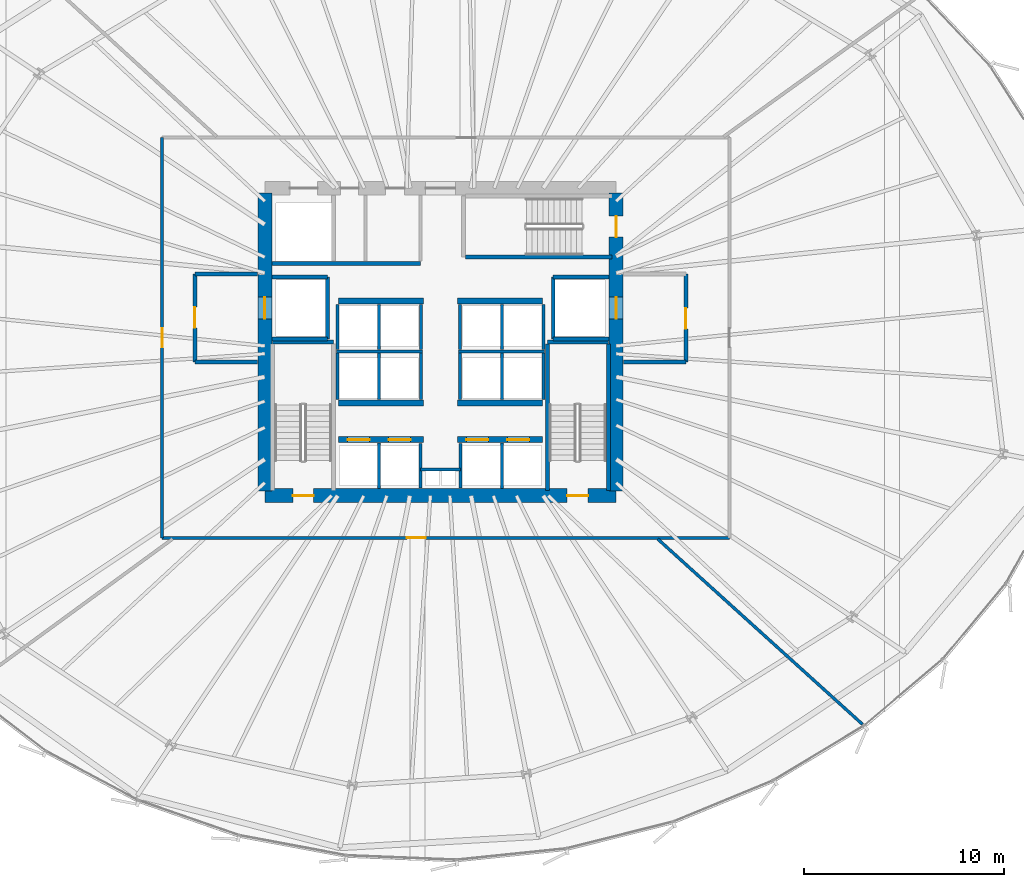
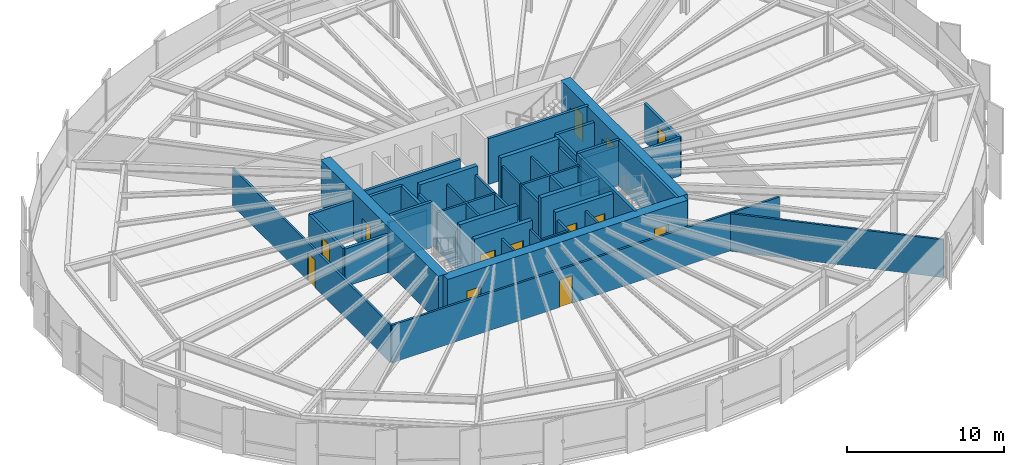
# One storey, part 34 of 42: 48 walls, 13 doors, 13 openings.
"""IFC4 building model written with IfcOpenShell, lengths in metres."""

from ifc_helpers import new_model, si_unit, direction, frame, frame_2d, origin, place, context, subcontext, project, spatial, rectangle, extrude, source, transform, mapped, material, layer, layer_set, type_object, element, fill, save


model = new_model("IFC4")

# Units and contexts
model_context = context("Model", 3, precision=1e-05, world=origin(), true_north=direction((0.0, 1.0)))
body_context = subcontext(model_context, "Body", "Model", "MODEL_VIEW")
ifc_project = project(units=[si_unit("LENGTHUNIT", "METRE"), si_unit("AREAUNIT", "SQUARE_METRE"), si_unit("VOLUMEUNIT", "CUBIC_METRE"), si_unit("PLANEANGLEUNIT", "RADIAN"), si_unit("MASSUNIT", "GRAM", prefix="KILO"), si_unit("THERMODYNAMICTEMPERATUREUNIT", "KELVIN")], contexts=[model_context])

# Site, building, storey
site_placement = place(None, origin())
site = spatial("IfcSite", under=ifc_project, at=site_placement, CompositionType="ELEMENT")
building_placement = place(site_placement, origin())
building = spatial("IfcBuilding", under=site, at=building_placement, Name="Kethvar Cultural Tower", CompositionType="ELEMENT")
storey_placement = place(building_placement, frame((0.0, 0.0, 37.199951171875)))
storey = spatial("IfcBuildingStorey", under=building, at=storey_placement, Name="L08", CompositionType="ELEMENT", Elevation=37.199951171875)

# Wall, openings, doors
ifc_material_1 = material(Name="Concrete C60/75", Category="concrete")
ifc_layer_1 = layer(ifc_material_1, 0.699951171875, Name="Concrete C60/75", Category="concrete")
ifc_layer_set_1 = layer_set([ifc_layer_1], Name="Concrete C60/75 (700 mm)")
wall_type_1 = type_object("IfcWallType", Name="WL-CORE-700", PredefinedType="SHEAR", material=ifc_layer_set_1)
wall_1_placement = place(storey_placement, frame((38.0, 20.10009765625, 0.0), z_axis=(0.0, 0.0, 1.0), x_axis=(1.0, 0.0, 0.0)))
wall_1 = element("IfcWall", 1, at=wall_1_placement, inside=storey, type_object=wall_type_1, Name="L08 Core Shear Wall S", PredefinedType="SHEAR", context=body_context, shape_type="SweptSolid", body=[
    extrude(rectangle(XDim=17.60009765625, YDim=0.699951171875, at=frame_2d((8.800048828125, 0.0))), origin(), (0.0, 0.0, 1.0), 3.550048828125),
])
opening_1_placement = place(wall_1_placement, frame((1.39990234375, 0.0, 0.0)))
opening_1 = element("IfcOpeningElement", 2, at=opening_1_placement, cuts=wall_1, Name="Opening D-L08-S1", PredefinedType="OPENING", context=body_context, shape_type="SweptSolid", body=[
    extrude(rectangle(XDim=1.050048828125, YDim=2.14990234375, at=frame_2d((0.52490234375, 1.074951171875))), frame((0.0, 0.35986328125, 0.0), z_axis=(0.0, -1.0, 0.0), x_axis=(1.0, 0.0, 0.0)), (0.0, 0.0, 1.0), 0.719970703125),
])
opening_2_placement = place(wall_1_placement, frame((15.14990234375, 0.0, 0.0)))
opening_2 = element("IfcOpeningElement", 3, at=opening_2_placement, cuts=wall_1, Name="Opening D-L08-ST2", PredefinedType="OPENING", context=body_context, shape_type="SweptSolid", body=[
    extrude(rectangle(XDim=1.050048828125, YDim=2.14990234375, at=frame_2d((0.52490234375, 1.074951171875))), frame((0.0, 0.35986328125, 0.0), z_axis=(0.0, -1.0, 0.0), x_axis=(1.0, 0.0, 0.0)), (0.0, 0.0, 1.0), 0.719970703125),
])
ifc_material_2 = material(Name="Steel S355J2", Category="steel")
door_type_1 = type_object("IfcDoorType", Name="DR-FD60-1050", OperationType="NOTDEFINED", PredefinedType="DOOR", material=ifc_material_2)
shared_shape_1 = source(origin(), body_context, "Body", "SweptSolid", [
    extrude(rectangle(XDim=1.050048828125, YDim=2.14990234375, at=frame_2d((0.52490234375, 1.074951171875))), frame((0.0, 0.02490234375, 0.0), z_axis=(0.0, -1.0, 0.0), x_axis=(1.0, 0.0, 0.0)), (0.0, 0.0, 1.0), 0.050048828125),
])
door_1_placement = place(opening_1_placement, origin())
door_1 = element("IfcDoor", 4, at=door_1_placement, inside=storey, type_object=door_type_1, Name="L08 Exit Stair 1 Door", OperationType="SINGLE_SWING_LEFT", OverallHeight=2.14990234375, OverallWidth=1.050048828125, PredefinedType="DOOR", context=body_context, shape_type="MappedRepresentation", body=[
    mapped(shared_shape_1, transform((0.0, 0.0, 0.0), scale=1.0)),
])
fill(opening_1, door_1)
door_2_placement = place(opening_2_placement, origin())
door_2 = element("IfcDoor", 5, at=door_2_placement, inside=storey, type_object=door_type_1, Name="L08 Exit Stair 2 Door", OperationType="SINGLE_SWING_RIGHT", OverallHeight=2.14990234375, OverallWidth=1.050048828125, PredefinedType="DOOR", context=body_context, shape_type="MappedRepresentation", body=[
    mapped(shared_shape_1, transform((0.0, 0.0, 0.0), scale=1.0)),
])
fill(opening_2, door_2)

# Wall, opening, door
wall_2_placement = place(storey_placement, frame((38.0, 35.260009765625, 0.0), z_axis=(0.0, 0.0, 1.0), x_axis=(0.0, -1.0, 0.0)))
wall_2 = element("IfcWall", 6, at=wall_2_placement, inside=storey, type_object=wall_type_1, Name="L08 Core Shear Wall W", PredefinedType="SHEAR", context=body_context, shape_type="SweptSolid", body=[
    extrude(rectangle(XDim=14.919921875, YDim=0.699951171875, at=frame_2d((7.4599609375, 0.0))), origin(), (0.0, 0.0, 1.0), 3.550048828125),
])
opening_3_placement = place(wall_2_placement, frame((5.2099609375, 0.0, 0.0)))
opening_3 = element("IfcOpeningElement", 7, at=opening_3_placement, cuts=wall_2, Name="Opening LD-1", PredefinedType="OPENING", context=body_context, shape_type="SweptSolid", body=[
    extrude(rectangle(XDim=1.10009765625, YDim=2.199951171875, at=frame_2d((0.550048828125, 1.10009765625))), frame((0.0, 0.35986328125, 0.0), z_axis=(0.0, -1.0, 0.0), x_axis=(1.0, 0.0, 0.0)), (0.0, 0.0, 1.0), 0.719970703125),
])
door_type_2 = type_object("IfcDoorType", Name="DR-LIFT-SLIDE-1100", OperationType="NOTDEFINED", PredefinedType="DOOR", material=ifc_material_2)
shared_shape_2 = source(origin(), body_context, "Body", "SweptSolid", [
    extrude(rectangle(XDim=1.10009765625, YDim=2.199951171875, at=frame_2d((0.550048828125, 1.10009765625))), frame((0.0, 0.02490234375, 0.0), z_axis=(0.0, -1.0, 0.0), x_axis=(1.0, 0.0, 0.0)), (0.0, 0.0, 1.0), 0.050048828125),
])
door_3_placement = place(opening_3_placement, origin())
door_3 = element("IfcDoor", 8, at=door_3_placement, inside=storey, type_object=door_type_2, Name="L08 Firefighting Lift Landing Door FFL-01", OperationType="SLIDING_TO_LEFT", OverallHeight=2.199951171875, OverallWidth=1.10009765625, PredefinedType="DOOR", context=body_context, shape_type="MappedRepresentation", body=[
    mapped(shared_shape_2, transform((0.0, 0.0, 0.0), scale=1.0)),
])
fill(opening_3, door_3)

# Wall, openings, doors
wall_3_placement = place(storey_placement, frame((55.60009765625, 20.340087890625, 0.0), z_axis=(0.0, 0.0, 1.0), x_axis=(0.0, 1.0, 0.0)))
wall_3 = element("IfcWall", 9, at=wall_3_placement, inside=storey, type_object=wall_type_1, Name="L08 Core Shear Wall E", PredefinedType="SHEAR", context=body_context, shape_type="SweptSolid", body=[
    extrude(rectangle(XDim=14.919921875, YDim=0.699951171875, at=frame_2d((7.4599609375, 0.0))), origin(), (0.0, 0.0, 1.0), 3.550048828125),
])
opening_4_placement = place(wall_3_placement, frame((12.7099609375, 0.0, 0.0)))
opening_4 = element("IfcOpeningElement", 10, at=opening_4_placement, cuts=wall_3, Name="Opening D-L08-S3", PredefinedType="OPENING", context=body_context, shape_type="SweptSolid", body=[
    extrude(rectangle(XDim=1.050048828125, YDim=2.14990234375, at=frame_2d((0.52490234375, 1.074951171875))), frame((0.0, 0.35986328125, 0.0), z_axis=(0.0, -1.0, 0.0), x_axis=(1.0, 0.0, 0.0)), (0.0, 0.0, 1.0), 0.719970703125),
])
opening_5_placement = place(wall_3_placement, frame((8.610107421875, 0.0, 0.0)))
opening_5 = element("IfcOpeningElement", 11, at=opening_5_placement, cuts=wall_3, Name="Opening LD-2", PredefinedType="OPENING", context=body_context, shape_type="SweptSolid", body=[
    extrude(rectangle(XDim=1.10009765625, YDim=2.199951171875, at=frame_2d((0.550048828125, 1.10009765625))), frame((0.0, 0.35986328125, 0.0), z_axis=(0.0, -1.0, 0.0), x_axis=(1.0, 0.0, 0.0)), (0.0, 0.0, 1.0), 0.719970703125),
])
door_4_placement = place(opening_4_placement, origin())
door_4 = element("IfcDoor", 12, at=door_4_placement, inside=storey, type_object=door_type_1, Name="L08 Exit Stair 3 Door", OperationType="SINGLE_SWING_LEFT", OverallHeight=2.14990234375, OverallWidth=1.050048828125, PredefinedType="DOOR", context=body_context, shape_type="MappedRepresentation", body=[
    mapped(shared_shape_1, transform((0.0, 0.0, 0.0), scale=1.0)),
])
fill(opening_4, door_4)
door_5_placement = place(opening_5_placement, origin())
door_5 = element("IfcDoor", 13, at=door_5_placement, inside=storey, type_object=door_type_2, Name="L08 Firefighting Lift Landing Door FFL-02", OperationType="SLIDING_TO_RIGHT", OverallHeight=2.199951171875, OverallWidth=1.10009765625, PredefinedType="DOOR", context=body_context, shape_type="MappedRepresentation", body=[
    mapped(shared_shape_2, transform((0.0, 0.0, 0.0), scale=1.0)),
])
fill(opening_5, door_5)

# Walls
ifc_material_3 = material(Name="Gypsum Fireboard Partition")
ifc_layer_2 = layer(ifc_material_3, 0.14990234375, Name="Gypsum Fireboard Partition")
ifc_layer_set_2 = layer_set([ifc_layer_2], Name="Gypsum Fireboard Partition (150 mm)")
wall_type_2 = type_object("IfcWallType", Name="WL-FIRE-150", PredefinedType="PARTITIONING", material=ifc_layer_set_2)
wall_4_placement = place(storey_placement, frame((45.800048828125, 21.419921875, 0.0), z_axis=(0.0, 0.0, 1.0), x_axis=(1.0, 0.0, 0.0)))
element("IfcWall", 14, at=wall_4_placement, inside=storey, type_object=wall_type_2, Name="L08 Core Riser Wall", PredefinedType="PARTITIONING", context=body_context, shape_type="SweptSolid", body=[
    extrude(rectangle(XDim=2.0, YDim=0.14990234375, at=frame_2d((1.0, 0.0))), origin(), (0.0, 0.0, 1.0), 2.925048828125),
])
for number, where, z_axis, x_axis, name in (
    (15, (45.800048828125, 20.47998046875, 0.0), (0.0, 0.0, 1.0), (0.0, 1.0, 0.0), "L08 Core Riser West Wall"),
    (16, (47.800048828125, 20.47998046875, 0.0), (0.0, 0.0, 1.0), (0.0, 1.0, 0.0), "L08 Core Riser East Wall"),
):
    element("IfcWall", number, at=place(storey_placement, frame(where, z_axis=z_axis, x_axis=x_axis)), inside=storey, type_object=wall_type_2, Name=name, PredefinedType="PARTITIONING", context=body_context, shape_type="SweptSolid", body=[
        extrude(rectangle(XDim=2.239990234375, YDim=0.14990234375, at=frame_2d((1.1201171875, 0.0))), origin(), (0.0, 0.0, 1.0), 2.925048828125),
    ])
for number, where, z_axis, x_axis, name in (
    (17, (43.72509765625, 20.4599609375, 0.0), (0.0, 0.0, 1.0), (0.0, 1.0, 0.0), "L08 Low-Rise Lift Shaft Divider W"),
    (18, (49.875, 20.4599609375, 0.0), (0.0, 0.0, 1.0), (0.0, 1.0, 0.0), "L08 Low-Rise Lift Shaft Divider E"),
):
    element("IfcWall", number, at=place(storey_placement, frame(where, z_axis=z_axis, x_axis=x_axis)), inside=storey, type_object=wall_type_2, Name=name, PredefinedType="PARTITIONING", context=body_context, shape_type="SweptSolid", body=[
        extrude(rectangle(XDim=2.27001953125, YDim=0.14990234375, at=frame_2d((1.135009765625, 0.0))), origin(), (0.0, 0.0, 1.0), 2.925048828125),
    ])
wall_5_placement = place(storey_placement, frame((41.580078125, 27.324951171875, 0.0), z_axis=(0.0, 0.0, 1.0), x_axis=(1.0, 0.0, 0.0)))
element("IfcWall", 19, at=wall_5_placement, inside=storey, type_object=wall_type_2, Name="L08 Mid-High Lift Shaft Back Wall W", PredefinedType="PARTITIONING", context=body_context, shape_type="SweptSolid", body=[
    extrude(rectangle(XDim=4.31982421875, YDim=0.14990234375, at=frame_2d((2.159912109375, 0.0))), origin(), (0.0, 0.0, 1.0), 2.925048828125),
])
wall_6_placement = place(storey_placement, frame((47.699951171875, 27.324951171875, 0.0), z_axis=(0.0, 0.0, 1.0), x_axis=(1.0, 0.0, 0.0)))
element("IfcWall", 20, at=wall_6_placement, inside=storey, type_object=wall_type_2, Name="L08 Mid-High Lift Shaft Back Wall E", PredefinedType="PARTITIONING", context=body_context, shape_type="SweptSolid", body=[
    extrude(rectangle(XDim=4.320068359375, YDim=0.14990234375, at=frame_2d((2.16015625, 0.0))), origin(), (0.0, 0.0, 1.0), 2.925048828125),
])
for number, where, z_axis, x_axis, name in (
    (21, (41.64990234375, 24.919921875, 0.0), (0.0, 0.0, 1.0), (0.0, 1.0, 0.0), "L08 Mid-Rise Lift Shaft Outer Wall W"),
    (22, (43.72509765625, 24.919921875, 0.0), (0.0, 0.0, 1.0), (0.0, 1.0, 0.0), "L08 Mid-Rise Lift Shaft Divider W"),
    (23, (45.824951171875, 24.919921875, 0.0), (0.0, 0.0, 1.0), (0.0, 1.0, 0.0), "L08 Mid-Rise Lift Shaft Concourse Wall W"),
    (24, (47.77490234375, 24.919921875, 0.0), (0.0, 0.0, 1.0), (0.0, 1.0, 0.0), "L08 Mid-Rise Lift Shaft Concourse Wall E"),
    (25, (49.875, 24.919921875, 0.0), (0.0, 0.0, 1.0), (0.0, 1.0, 0.0), "L08 Mid-Rise Lift Shaft Divider E"),
    (26, (51.949951171875, 24.919921875, 0.0), (0.0, 0.0, 1.0), (0.0, 1.0, 0.0), "L08 Mid-Rise Lift Shaft Outer Wall E"),
):
    element("IfcWall", number, at=place(storey_placement, frame(where, z_axis=z_axis, x_axis=x_axis)), inside=storey, type_object=wall_type_2, Name=name, PredefinedType="PARTITIONING", context=body_context, shape_type="SweptSolid", body=[
        extrude(rectangle(XDim=2.320068359375, YDim=0.14990234375, at=frame_2d((1.16015625, 0.0))), origin(), (0.0, 0.0, 1.0), 2.925048828125),
    ])
for number, where, z_axis, x_axis, name in (
    (27, (41.64990234375, 27.409912109375, 0.0), (0.0, 0.0, 1.0), (0.0, 1.0, 0.0), "L08 High-Rise Lift Shaft Outer Wall W"),
    (28, (43.72509765625, 27.409912109375, 0.0), (0.0, 0.0, 1.0), (0.0, 1.0, 0.0), "L08 High-Rise Lift Shaft Divider W"),
    (29, (45.824951171875, 27.409912109375, 0.0), (0.0, 0.0, 1.0), (0.0, 1.0, 0.0), "L08 High-Rise Lift Shaft Concourse Wall W"),
    (30, (47.77490234375, 27.409912109375, 0.0), (0.0, 0.0, 1.0), (0.0, 1.0, 0.0), "L08 High-Rise Lift Shaft Concourse Wall E"),
    (31, (49.875, 27.409912109375, 0.0), (0.0, 0.0, 1.0), (0.0, 1.0, 0.0), "L08 High-Rise Lift Shaft Divider E"),
    (32, (51.949951171875, 27.409912109375, 0.0), (0.0, 0.0, 1.0), (0.0, 1.0, 0.0), "L08 High-Rise Lift Shaft Outer Wall E"),
):
    element("IfcWall", number, at=place(storey_placement, frame(where, z_axis=z_axis, x_axis=x_axis)), inside=storey, type_object=wall_type_2, Name=name, PredefinedType="PARTITIONING", context=body_context, shape_type="SweptSolid", body=[
        extrude(rectangle(XDim=2.27001953125, YDim=0.14990234375, at=frame_2d((1.135009765625, 0.0))), origin(), (0.0, 0.0, 1.0), 2.925048828125),
    ])

# Wall, opening, door
wall_7_placement = place(storey_placement, frame((32.85009765625, 17.97998046875, 0.0), z_axis=(0.0, 0.0, 1.0), x_axis=(1.0, 0.0, 0.0)))
wall_7 = element("IfcWall", 33, at=wall_7_placement, inside=storey, type_object=wall_type_2, Name="L08 Corridor Rated Wall S", PredefinedType="PARTITIONING", context=body_context, shape_type="SweptSolid", body=[
    extrude(rectangle(XDim=28.419921875, YDim=0.14990234375, at=frame_2d((14.2099609375, 0.0))), origin(), (0.0, 0.0, 1.0), 2.925048828125),
])
opening_6_placement = place(wall_7_placement, frame((12.271484375, 0.0, 0.0)))
opening_6 = element("IfcOpeningElement", 34, at=opening_6_placement, cuts=wall_7, Name="Opening D-L08-01", PredefinedType="OPENING", context=body_context, shape_type="SweptSolid", body=[
    extrude(rectangle(XDim=0.949951171875, YDim=2.14990234375, at=frame_2d((0.47509765625, 1.074951171875))), frame((0.0, 0.0849609375, 0.0), z_axis=(0.0, -1.0, 0.0), x_axis=(1.0, 0.0, 0.0)), (0.0, 0.0, 1.0), 0.169921875),
])
ifc_material_4 = material(Name="Architectural Oak Timber", Category="wood")
door_type_3 = type_object("IfcDoorType", Name="DR-FD30-950", OperationType="NOTDEFINED", PredefinedType="DOOR", material=ifc_material_4)
shared_shape_3 = source(origin(), body_context, "Body", "SweptSolid", [
    extrude(rectangle(XDim=0.949951171875, YDim=2.14990234375, at=frame_2d((0.47509765625, 1.074951171875))), frame((0.0, 0.02490234375, 0.0), z_axis=(0.0, -1.0, 0.0), x_axis=(1.0, 0.0, 0.0)), (0.0, 0.0, 1.0), 0.050048828125),
])
door_6_placement = place(opening_6_placement, origin())
door_6 = element("IfcDoor", 35, at=door_6_placement, inside=storey, type_object=door_type_3, Name="L08 Permanent Collection Library 01 Door", OperationType="SINGLE_SWING_LEFT", OverallHeight=2.14990234375, OverallWidth=0.949951171875, PredefinedType="DOOR", context=body_context, shape_type="MappedRepresentation", body=[
    mapped(shared_shape_3, transform((0.0, 0.0, 0.0), scale=1.0)),
])
fill(opening_6, door_6)

wall_8_placement = place(storey_placement, frame((32.85009765625, 38.0400390625, 0.0), z_axis=(0.0, 0.0, 1.0), x_axis=(0.0, -1.0, 0.0)))
wall_8 = element("IfcWall", 36, at=wall_8_placement, inside=storey, type_object=wall_type_2, Name="L08 Corridor Rated Wall W", PredefinedType="PARTITIONING", context=body_context, shape_type="SweptSolid", body=[
    extrude(rectangle(XDim=20.06005859375, YDim=0.14990234375, at=frame_2d((10.030029296875, 0.0))), origin(), (0.0, 0.0, 1.0), 2.925048828125),
])
opening_7_placement = place(wall_8_placement, frame((9.554931640625, 0.0, 0.0)))
opening_7 = element("IfcOpeningElement", 37, at=opening_7_placement, cuts=wall_8, Name="Opening D-L08-04", PredefinedType="OPENING", context=body_context, shape_type="SweptSolid", body=[
    extrude(rectangle(XDim=0.949951171875, YDim=2.14990234375, at=frame_2d((0.47509765625, 1.074951171875))), frame((0.0, 0.0849609375, 0.0), z_axis=(0.0, -1.0, 0.0), x_axis=(1.0, 0.0, 0.0)), (0.0, 0.0, 1.0), 0.169921875),
])
door_7_placement = place(opening_7_placement, origin())
door_7 = element("IfcDoor", 38, at=door_7_placement, inside=storey, type_object=door_type_3, Name="L08 Academic Study Lounge 04 Door", OperationType="SINGLE_SWING_RIGHT", OverallHeight=2.14990234375, OverallWidth=0.949951171875, PredefinedType="DOOR", context=body_context, shape_type="MappedRepresentation", body=[
    mapped(shared_shape_3, transform((0.0, 0.0, 0.0), scale=1.0)),
])
fill(opening_7, door_7)

# Walls
ifc_material_5 = material(Name="Concrete C40/50", Category="concrete")
ifc_layer_3 = layer(ifc_material_5, 0.199951171875, Name="Concrete C40/50", Category="concrete")
ifc_layer_set_3 = layer_set([ifc_layer_3], Name="Concrete C40/50 (200 mm)")
wall_type_3 = type_object("IfcWallType", Name="WL-FIRE-200", PredefinedType="PARTITIONING", material=ifc_layer_set_3)
wall_9_placement = place(storey_placement, frame((41.14990234375, 27.949951171875, 0.0), z_axis=(0.0, 0.0, 1.0), x_axis=(0.0, 1.0, 0.0)))
element("IfcWall", 39, at=wall_9_placement, inside=storey, type_object=wall_type_3, Name="L08 FFL-01 Shaft Inner Wall", PredefinedType="PARTITIONING", context=body_context, shape_type="SweptSolid", body=[
    extrude(rectangle(XDim=3.10009765625, YDim=0.199951171875, at=frame_2d((1.550048828125, 0.0))), origin(), (0.0, 0.0, 1.0), 2.925048828125),
])
for number, where, z_axis, x_axis, name in (
    (40, (38.360107421875, 27.949951171875, 0.0), (0.0, 0.0, 1.0), (1.0, 0.0, 0.0), "L08 FFL-01 Shaft South Wall"),
    (41, (38.360107421875, 31.050048828125, 0.0), (0.0, 0.0, 1.0), (1.0, 0.0, 0.0), "L08 FFL-01 Shaft North Wall"),
):
    element("IfcWall", number, at=place(storey_placement, frame(where, z_axis=z_axis, x_axis=x_axis)), inside=storey, type_object=wall_type_3, Name=name, PredefinedType="PARTITIONING", context=body_context, shape_type="SweptSolid", body=[
        extrude(rectangle(XDim=2.789794921875, YDim=0.199951171875, at=frame_2d((1.39501953125, 0.0))), origin(), (0.0, 0.0, 1.0), 2.925048828125),
    ])

# Wall, opening, door
wall_10_placement = place(storey_placement, frame((34.5, 31.199951171875, 0.0), z_axis=(0.0, 0.0, 1.0), x_axis=(0.0, -1.0, 0.0)))
wall_10 = element("IfcWall", 42, at=wall_10_placement, inside=storey, type_object=wall_type_3, Name="L08 Firefighting Lobby 1 Wall", PredefinedType="PARTITIONING", context=body_context, shape_type="SweptSolid", body=[
    extrude(rectangle(XDim=4.39990234375, YDim=0.199951171875, at=frame_2d((2.199951171875, 0.0))), origin(), (0.0, 0.0, 1.0), 2.925048828125),
])
opening_8_placement = place(wall_10_placement, frame((1.64990234375, 0.0, 0.0)))
opening_8 = element("IfcOpeningElement", 43, at=opening_8_placement, cuts=wall_10, Name="Opening D-L08-F1", PredefinedType="OPENING", context=body_context, shape_type="SweptSolid", body=[
    extrude(rectangle(XDim=1.050048828125, YDim=2.14990234375, at=frame_2d((0.52490234375, 1.074951171875))), frame((0.0, 0.10986328125, 0.0), z_axis=(0.0, -1.0, 0.0), x_axis=(1.0, 0.0, 0.0)), (0.0, 0.0, 1.0), 0.219970703125),
])
door_8_placement = place(opening_8_placement, origin())
door_8 = element("IfcDoor", 44, at=door_8_placement, inside=storey, type_object=door_type_1, Name="L08 Firefighting Lobby 1 Fire Door", OperationType="SINGLE_SWING_LEFT", OverallHeight=2.14990234375, OverallWidth=1.050048828125, PredefinedType="DOOR", context=body_context, shape_type="MappedRepresentation", body=[
    mapped(shared_shape_1, transform((0.0, 0.0, 0.0), scale=1.0)),
])
fill(opening_8, door_8)

# Walls
for number, where, z_axis, x_axis, name in (
    (45, (34.5, 26.800048828125, 0.0), (0.0, 0.0, 1.0), (1.0, 0.0, 0.0), "L08 FF Lobby 1 South Wall"),
    (46, (34.5, 31.199951171875, 0.0), (0.0, 0.0, 1.0), (1.0, 0.0, 0.0), "L08 FF Lobby 1 North Wall"),
):
    element("IfcWall", number, at=place(storey_placement, frame(where, z_axis=z_axis, x_axis=x_axis)), inside=storey, type_object=wall_type_3, Name=name, PredefinedType="PARTITIONING", context=body_context, shape_type="SweptSolid", body=[
        extrude(rectangle(XDim=3.139892578125, YDim=0.199951171875, at=frame_2d((1.56982421875, 0.0))), origin(), (0.0, 0.0, 1.0), 2.925048828125),
    ])
wall_11_placement = place(storey_placement, frame((52.449951171875, 27.949951171875, 0.0), z_axis=(0.0, 0.0, 1.0), x_axis=(0.0, 1.0, 0.0)))
element("IfcWall", 47, at=wall_11_placement, inside=storey, type_object=wall_type_3, Name="L08 FFL-02 Shaft Inner Wall", PredefinedType="PARTITIONING", context=body_context, shape_type="SweptSolid", body=[
    extrude(rectangle(XDim=3.10009765625, YDim=0.199951171875, at=frame_2d((1.550048828125, 0.0))), origin(), (0.0, 0.0, 1.0), 2.925048828125),
])
for number, where, z_axis, x_axis, name in (
    (48, (52.449951171875, 27.949951171875, 0.0), (0.0, 0.0, 1.0), (1.0, 0.0, 0.0), "L08 FFL-02 Shaft South Wall"),
    (49, (52.449951171875, 31.050048828125, 0.0), (0.0, 0.0, 1.0), (1.0, 0.0, 0.0), "L08 FFL-02 Shaft North Wall"),
):
    element("IfcWall", number, at=place(storey_placement, frame(where, z_axis=z_axis, x_axis=x_axis)), inside=storey, type_object=wall_type_3, Name=name, PredefinedType="PARTITIONING", context=body_context, shape_type="SweptSolid", body=[
        extrude(rectangle(XDim=2.7900390625, YDim=0.199951171875, at=frame_2d((1.39501953125, 0.0))), origin(), (0.0, 0.0, 1.0), 2.925048828125),
    ])

# Wall, opening, door
wall_12_placement = place(storey_placement, frame((59.10009765625, 26.800048828125, 0.0), z_axis=(0.0, 0.0, 1.0), x_axis=(0.0, 1.0, 0.0)))
wall_12 = element("IfcWall", 50, at=wall_12_placement, inside=storey, type_object=wall_type_3, Name="L08 Firefighting Lobby 2 Wall", PredefinedType="PARTITIONING", context=body_context, shape_type="SweptSolid", body=[
    extrude(rectangle(XDim=4.39990234375, YDim=0.199951171875, at=frame_2d((2.199951171875, 0.0))), origin(), (0.0, 0.0, 1.0), 2.925048828125),
])
opening_9_placement = place(wall_12_placement, frame((1.64990234375, 0.0, 0.0)))
opening_9 = element("IfcOpeningElement", 51, at=opening_9_placement, cuts=wall_12, Name="Opening D-L08-F2", PredefinedType="OPENING", context=body_context, shape_type="SweptSolid", body=[
    extrude(rectangle(XDim=1.050048828125, YDim=2.14990234375, at=frame_2d((0.52490234375, 1.074951171875))), frame((0.0, 0.10986328125, 0.0), z_axis=(0.0, -1.0, 0.0), x_axis=(1.0, 0.0, 0.0)), (0.0, 0.0, 1.0), 0.219970703125),
])
door_9_placement = place(opening_9_placement, origin())
door_9 = element("IfcDoor", 52, at=door_9_placement, inside=storey, type_object=door_type_1, Name="L08 Firefighting Lobby 2 Fire Door", OperationType="SINGLE_SWING_LEFT", OverallHeight=2.14990234375, OverallWidth=1.050048828125, PredefinedType="DOOR", context=body_context, shape_type="MappedRepresentation", body=[
    mapped(shared_shape_1, transform((0.0, 0.0, 0.0), scale=1.0)),
])
fill(opening_9, door_9)

# Walls
wall_13_placement = place(storey_placement, frame((55.9599609375, 26.800048828125, 0.0), z_axis=(0.0, 0.0, 1.0), x_axis=(1.0, 0.0, 0.0)))
element("IfcWall", 53, at=wall_13_placement, inside=storey, type_object=wall_type_3, Name="L08 FF Lobby 2 South Wall", PredefinedType="PARTITIONING", context=body_context, shape_type="SweptSolid", body=[
    extrude(rectangle(XDim=3.14013671875, YDim=0.199951171875, at=frame_2d((1.570068359375, 0.0))), origin(), (0.0, 0.0, 1.0), 2.925048828125),
])
wall_14_placement = place(storey_placement, frame((38.360107421875, 31.72998046875, 0.0), z_axis=(0.0, 0.0, 1.0), x_axis=(1.0, 0.0, 0.0)))
element("IfcWall", 54, at=wall_14_placement, inside=storey, type_object=wall_type_3, Name="L08 North Core Sanitary South Wall", PredefinedType="PARTITIONING", context=body_context, shape_type="SweptSolid", body=[
    extrude(rectangle(XDim=7.43994140625, YDim=0.199951171875, at=frame_2d((3.719970703125, 0.0))), origin(), (0.0, 0.0, 1.0), 2.925048828125),
])
ifc_material_6 = material(Name="Gypsum Acoustic Partition")
ifc_layer_4 = layer(ifc_material_6, 0.14990234375, Name="Gypsum Acoustic Partition")
ifc_layer_set_4 = layer_set([ifc_layer_4], Name="Gypsum Acoustic Partition (150 mm)")
wall_type_4 = type_object("IfcWallType", Name="WL-PART-150", PredefinedType="PARTITIONING", material=ifc_layer_set_4)
wall_15_placement = place(storey_placement, frame((57.685546875, 17.92626953125, 0.0), z_axis=(0.0, 0.0, 1.0), x_axis=(0.741441271634, -0.67101776483, 0.0)))
element("IfcWall", 55, at=wall_15_placement, inside=storey, type_object=wall_type_4, Name="L08 Radial Partition Wall 02", PredefinedType="PARTITIONING", context=body_context, shape_type="SweptSolid", body=[
    extrude(rectangle(XDim=13.832275390625, YDim=0.14990234375, at=frame_2d((6.916015625, 0.0))), origin(), (0.0, 0.0, 1.0), 2.925048828125),
])

# Wall, openings, doors
ifc_material_7 = material(Name="Concrete C50/60", Category="concrete")
ifc_layer_5 = layer(ifc_material_7, 0.300048828125, Name="Concrete C50/60", Category="concrete")
ifc_layer_set_5 = layer_set([ifc_layer_5], Name="Concrete C50/60 (300 mm)")
wall_type_5 = type_object("IfcWallType", Name="WL-SHAFT-300", PredefinedType="SHEAR", material=ifc_layer_set_5)
wall_16_placement = place(storey_placement, frame((41.699951171875, 22.89990234375, 0.0), z_axis=(0.0, 0.0, 1.0), x_axis=(1.0, 0.0, 0.0)))
wall_16 = element("IfcWall", 56, at=wall_16_placement, inside=storey, type_object=wall_type_5, Name="L08 Core Lift Spine Wall MID1W", PredefinedType="SHEAR", context=body_context, shape_type="SweptSolid", body=[
    extrude(rectangle(XDim=4.25, YDim=0.300048828125, at=frame_2d((2.125, 0.0))), origin(), (0.0, 0.0, 1.0), 3.550048828125),
])
opening_10_placement = place(wall_16_placement, frame((0.449951171875, 0.0, 0.0)))
opening_10 = element("IfcOpeningElement", 57, at=opening_10_placement, cuts=wall_16, Name="Opening LD-L1", PredefinedType="OPENING", context=body_context, shape_type="SweptSolid", body=[
    extrude(rectangle(XDim=1.10009765625, YDim=2.199951171875, at=frame_2d((0.550048828125, 1.10009765625))), frame((0.0, 0.159912109375, 0.0), z_axis=(0.0, -1.0, 0.0), x_axis=(1.0, 0.0, 0.0)), (0.0, 0.0, 1.0), 0.320068359375),
])
opening_11_placement = place(wall_16_placement, frame((2.5, 0.0, 0.0)))
opening_11 = element("IfcOpeningElement", 58, at=opening_11_placement, cuts=wall_16, Name="Opening LD-L2", PredefinedType="OPENING", context=body_context, shape_type="SweptSolid", body=[
    extrude(rectangle(XDim=1.10009765625, YDim=2.199951171875, at=frame_2d((0.550048828125, 1.10009765625))), frame((0.0, 0.159912109375, 0.0), z_axis=(0.0, -1.0, 0.0), x_axis=(1.0, 0.0, 0.0)), (0.0, 0.0, 1.0), 0.320068359375),
])
door_10_placement = place(opening_10_placement, origin())
door_10 = element("IfcDoor", 59, at=door_10_placement, inside=storey, type_object=door_type_2, Name="L08 Low-Rise Lift Landing Door L1", OperationType="SLIDING_TO_LEFT", OverallHeight=2.199951171875, OverallWidth=1.10009765625, PredefinedType="DOOR", context=body_context, shape_type="MappedRepresentation", body=[
    mapped(shared_shape_2, transform((0.0, 0.0, 0.0), scale=1.0)),
])
fill(opening_10, door_10)
door_11_placement = place(opening_11_placement, origin())
door_11 = element("IfcDoor", 60, at=door_11_placement, inside=storey, type_object=door_type_2, Name="L08 Low-Rise Lift Landing Door L2", OperationType="SLIDING_TO_LEFT", OverallHeight=2.199951171875, OverallWidth=1.10009765625, PredefinedType="DOOR", context=body_context, shape_type="MappedRepresentation", body=[
    mapped(shared_shape_2, transform((0.0, 0.0, 0.0), scale=1.0)),
])
fill(opening_11, door_11)

wall_17_placement = place(storey_placement, frame((47.64990234375, 22.89990234375, 0.0), z_axis=(0.0, 0.0, 1.0), x_axis=(1.0, 0.0, 0.0)))
wall_17 = element("IfcWall", 61, at=wall_17_placement, inside=storey, type_object=wall_type_5, Name="L08 Core Lift Spine Wall MID1E", PredefinedType="SHEAR", context=body_context, shape_type="SweptSolid", body=[
    extrude(rectangle(XDim=4.25, YDim=0.300048828125, at=frame_2d((2.125, 0.0))), origin(), (0.0, 0.0, 1.0), 3.550048828125),
])
opening_12_placement = place(wall_17_placement, frame((0.449951171875, 0.0, 0.0)))
opening_12 = element("IfcOpeningElement", 62, at=opening_12_placement, cuts=wall_17, Name="Opening LD-L3", PredefinedType="OPENING", context=body_context, shape_type="SweptSolid", body=[
    extrude(rectangle(XDim=1.10009765625, YDim=2.199951171875, at=frame_2d((0.550048828125, 1.10009765625))), frame((0.0, 0.159912109375, 0.0), z_axis=(0.0, -1.0, 0.0), x_axis=(1.0, 0.0, 0.0)), (0.0, 0.0, 1.0), 0.320068359375),
])
opening_13_placement = place(wall_17_placement, frame((2.5, 0.0, 0.0)))
opening_13 = element("IfcOpeningElement", 63, at=opening_13_placement, cuts=wall_17, Name="Opening LD-L4", PredefinedType="OPENING", context=body_context, shape_type="SweptSolid", body=[
    extrude(rectangle(XDim=1.10009765625, YDim=2.199951171875, at=frame_2d((0.550048828125, 1.10009765625))), frame((0.0, 0.159912109375, 0.0), z_axis=(0.0, -1.0, 0.0), x_axis=(1.0, 0.0, 0.0)), (0.0, 0.0, 1.0), 0.320068359375),
])
door_12_placement = place(opening_12_placement, origin())
door_12 = element("IfcDoor", 64, at=door_12_placement, inside=storey, type_object=door_type_2, Name="L08 Low-Rise Lift Landing Door L3", OperationType="SLIDING_TO_LEFT", OverallHeight=2.199951171875, OverallWidth=1.10009765625, PredefinedType="DOOR", context=body_context, shape_type="MappedRepresentation", body=[
    mapped(shared_shape_2, transform((0.0, 0.0, 0.0), scale=1.0)),
])
fill(opening_12, door_12)
door_13_placement = place(opening_13_placement, origin())
door_13 = element("IfcDoor", 65, at=door_13_placement, inside=storey, type_object=door_type_2, Name="L08 Low-Rise Lift Landing Door L4", OperationType="SLIDING_TO_LEFT", OverallHeight=2.199951171875, OverallWidth=1.10009765625, PredefinedType="DOOR", context=body_context, shape_type="MappedRepresentation", body=[
    mapped(shared_shape_2, transform((0.0, 0.0, 0.0), scale=1.0)),
])
fill(opening_13, door_13)

# Walls
for number, where, z_axis, x_axis, name in (
    (66, (41.699951171875, 24.75, 0.0), (0.0, 0.0, 1.0), (1.0, 0.0, 0.0), "L08 Core Lift Spine Wall MID2W"),
    (67, (47.64990234375, 24.75, 0.0), (0.0, 0.0, 1.0), (1.0, 0.0, 0.0), "L08 Core Lift Spine Wall MID2E"),
    (68, (41.699951171875, 29.85009765625, 0.0), (0.0, 0.0, 1.0), (1.0, 0.0, 0.0), "L08 Core Lift Spine Wall MID3W"),
    (69, (47.64990234375, 29.85009765625, 0.0), (0.0, 0.0, 1.0), (1.0, 0.0, 0.0), "L08 Core Lift Spine Wall MID3E"),
):
    element("IfcWall", number, at=place(storey_placement, frame(where, z_axis=z_axis, x_axis=x_axis)), inside=storey, type_object=wall_type_5, Name=name, PredefinedType="SHEAR", context=body_context, shape_type="SweptSolid", body=[
        extrude(rectangle(XDim=4.25, YDim=0.300048828125, at=frame_2d((2.125, 0.0))), origin(), (0.0, 0.0, 1.0), 3.550048828125),
    ])
ifc_layer_6 = layer(ifc_material_7, 0.199951171875, Name="Concrete C50/60", Category="concrete")
ifc_layer_set_6 = layer_set([ifc_layer_6], Name="Concrete C50/60 (200 mm)")
wall_type_6 = type_object("IfcWallType", Name="WL-STSHAFT-200", PredefinedType="SHEAR", material=ifc_layer_set_6)
for number, where, z_axis, x_axis, name in (
    (70, (38.389892578125, 27.800048828125, 0.0), (0.0, 0.0, 1.0), (1.0, 0.0, 0.0), "L08 ST-01 Stair Shaft Wall FAR"),
    (71, (52.14990234375, 27.800048828125, 0.0), (0.0, 0.0, 1.0), (1.0, 0.0, 0.0), "L08 ST-02 Stair Shaft Wall FAR"),
):
    element("IfcWall", number, at=place(storey_placement, frame(where, z_axis=z_axis, x_axis=x_axis)), inside=storey, type_object=wall_type_6, Name=name, PredefinedType="SHEAR", context=body_context, shape_type="SweptSolid", body=[
        extrude(rectangle(XDim=3.06005859375, YDim=0.199951171875, at=frame_2d((1.530029296875, 0.0))), origin(), (0.0, 0.0, 1.0), 3.550048828125),
    ])
for number, where, z_axis, x_axis, name in (
    (72, (55.2099609375, 27.699951171875, 0.0), (0.0, 0.0, 1.0), (0.0, -1.0, 0.0), "L08 ST-02 Stair Shaft Wall LEFT"),
    (73, (52.14990234375, 20.35009765625, 0.0), (0.0, 0.0, 1.0), (0.0, 1.0, 0.0), "L08 ST-02 Stair Shaft Wall RIGHT"),
    (74, (55.39990234375, 32.050048828125, 0.0), (0.0, 0.0, 1.0), (-1.0, 0.0, 0.0), "L08 ST-03 Stair Shaft Wall RIGHT"),
):
    element("IfcWall", number, at=place(storey_placement, frame(where, z_axis=z_axis, x_axis=x_axis)), inside=storey, type_object=wall_type_6, Name=name, PredefinedType="SHEAR", context=body_context, shape_type="SweptSolid", body=[
        extrude(rectangle(XDim=7.349853515625, YDim=0.199951171875, at=frame_2d((3.6748046875, 0.0))), origin(), (0.0, 0.0, 1.0), 3.550048828125),
    ])

save(model, "model.ifc")
